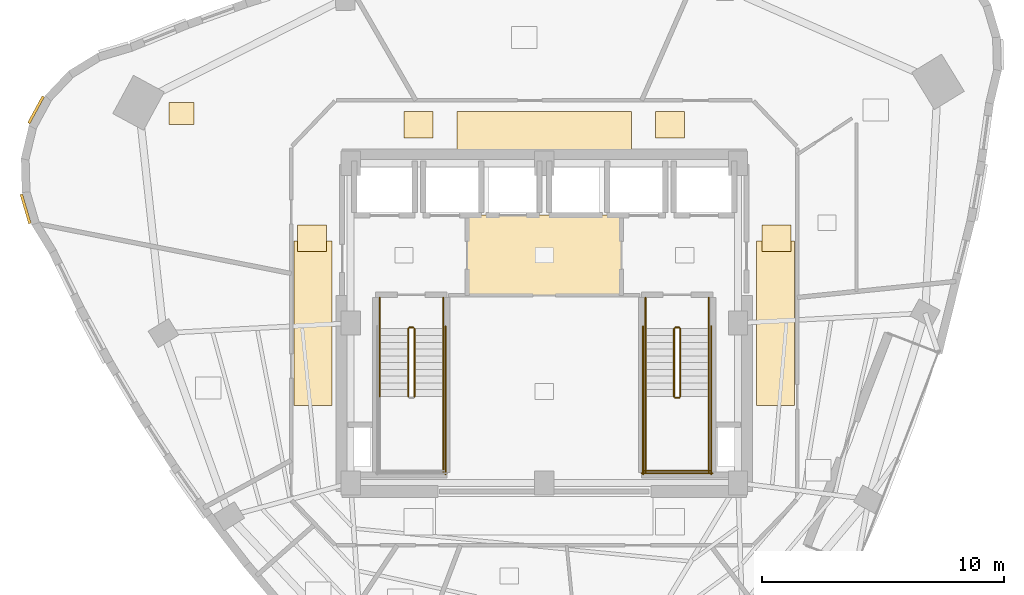
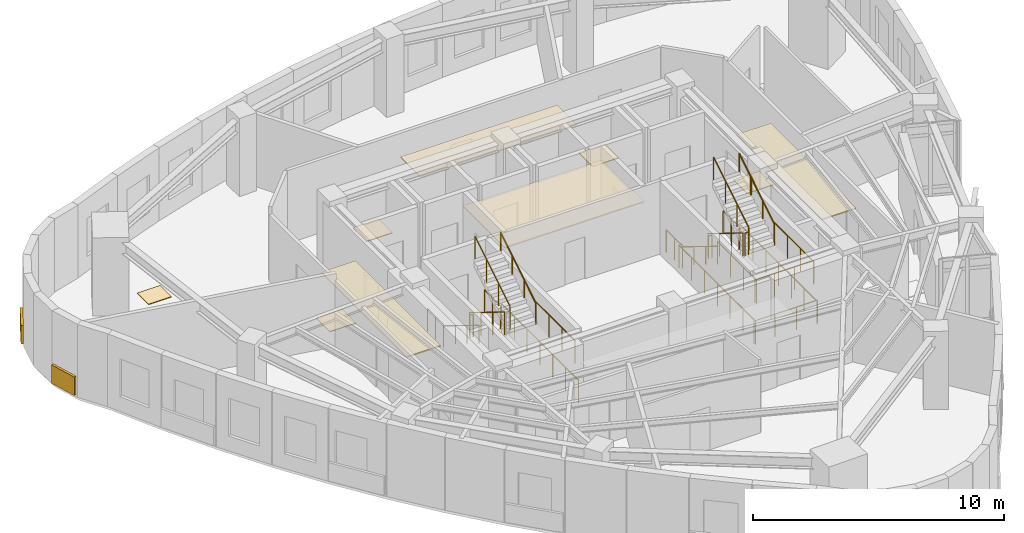
# One storey, part 9 of 10: 23 railings, 11 coverings.
"""IFC4 building model written with IfcOpenShell, lengths in metres."""

from ifc_helpers import new_model, si_unit, direction, frame, origin, origin_2d, place, context, subcontext, project, spatial, rectangle, circle, extrude, material, layer, layer_set, type_object, element, save


model = new_model("IFC4")

# Units and contexts
model_context = context("Model", 3, precision=1e-05, world=origin(), true_north=direction((0.0, 1.0)))
body_context = subcontext(model_context, "Body", "Model", "MODEL_VIEW")
ifc_project = project(units=[si_unit("LENGTHUNIT", "METRE"), si_unit("AREAUNIT", "SQUARE_METRE"), si_unit("VOLUMEUNIT", "CUBIC_METRE"), si_unit("PLANEANGLEUNIT", "RADIAN"), si_unit("MASSUNIT", "GRAM", prefix="KILO")], contexts=[model_context])

# Site, building, storey
site_placement = place(None, origin())
site = spatial("IfcSite", under=ifc_project, at=site_placement, CompositionType="ELEMENT")
building_placement = place(site_placement, origin())
building = spatial("IfcBuilding", under=site, at=building_placement, Name="Ndelora Gate Hotel", CompositionType="ELEMENT")
storey_placement = place(building_placement, frame((0.0, 0.0, 247.35009765625)))
storey = spatial("IfcBuildingStorey", under=building, at=storey_placement, Name="L62", CompositionType="ELEMENT", Elevation=247.35009765625)

# Coverings
ifc_material_1 = material(Name="Perforated Acoustic Gypsum Board", Category="gypsum")
ifc_layer_1 = layer(ifc_material_1, 0.054931640625)
ifc_layer_set_1 = layer_set([ifc_layer_1], Name="Perforated Acoustic Gypsum Board")
covering_type_1 = type_object("IfcCoveringType", Name="COV-CEIL-AC60", PredefinedType="CEILING", material=ifc_layer_set_1)
covering_1_placement = place(storey_placement, frame((0.0, 2.800048828125, 2.72265625), z_axis=(0.0, 0.0, 1.0), x_axis=(1.0, 0.0, 0.0)))
element("IfcCovering", 1, at=covering_1_placement, inside=storey, type_object=covering_type_1, Name="L62 Lift Lobby Acoustic Ceiling", PredefinedType="CEILING", context=body_context, shape_type="SweptSolid", body=[
    extrude(rectangle(XDim=6.39990234375, YDim=3.340087890625, at=origin_2d()), origin(), (0.0, 0.0, 1.0), 0.054931640625),
])
covering_2_placement = place(storey_placement, frame((0.0, 7.9599609375, 2.65234375), z_axis=(0.0, 0.0, 1.0), x_axis=(1.0, 0.0, 0.0)))
element("IfcCovering", 2, at=covering_2_placement, inside=storey, type_object=covering_type_1, Name="L62 Guest Corridor Acoustic Ceiling N", PredefinedType="CEILING", context=body_context, shape_type="SweptSolid", body=[
    extrude(rectangle(XDim=7.199951171875, YDim=1.580078125, at=origin_2d()), origin(), (0.0, 0.0, 1.0), 0.054931640625),
])
for number, where, z_axis, x_axis, name in (
    (3, (-9.550048828125, 0.0, 2.65234375), (0.0, 0.0, 1.0), (1.0, 0.0, 0.0), "L62 Guest Corridor Acoustic Ceiling W"),
    (4, (9.550048828125, 0.0, 2.65234375), (0.0, 0.0, 1.0), (1.0, 0.0, 0.0), "L62 Guest Corridor Acoustic Ceiling E"),
):
    element("IfcCovering", number, at=place(storey_placement, frame(where, z_axis=z_axis, x_axis=x_axis)), inside=storey, type_object=covering_type_1, Name=name, PredefinedType="CEILING", context=body_context, shape_type="SweptSolid", body=[
        extrude(rectangle(XDim=1.580078125, YDim=6.800048828125, at=origin_2d()), origin(), (0.0, 0.0, 1.0), 0.054931640625),
    ])
ifc_material_2 = material(Name="Terracotta Fired Clay Brick Slip Cladding", Category="masonry")
ifc_layer_2 = layer(ifc_material_2, 0.110107421875)
ifc_layer_set_2 = layer_set([ifc_layer_2], Name="Terracotta Fired Clay Brick Slip Cladding")
covering_type_2 = type_object("IfcCoveringType", Name="COV-CLAD-BRK", PredefinedType="CLADDING", material=ifc_layer_set_2)
covering_3_placement = place(storey_placement, frame((-20.993408203125, 8.81005859375, 0.099853515625), z_axis=(0.0, 0.0, 1.0), x_axis=(0.47715876026, 0.878817112662, 0.0)))
element("IfcCovering", 5, at=covering_3_placement, inside=storey, type_object=covering_type_2, Name="L62 Rounded-Corner Brick Cladding Band 4", PredefinedType="CLADDING", context=body_context, shape_type="SweptSolid", body=[
    extrude(rectangle(XDim=1.257080078125, YDim=0.110107421875, at=origin_2d()), origin(), (0.0, 0.0, 1.0), 0.89990234375),
])
covering_4_placement = place(storey_placement, frame((-21.42333984375, 4.719482421875, 0.099853515625), z_axis=(0.0, 0.0, 1.0), x_axis=(-0.284015344704, 0.958819734868, 0.0)))
element("IfcCovering", 6, at=covering_4_placement, inside=storey, type_object=covering_type_2, Name="L62 Rounded-Corner Brick Cladding Band 7", PredefinedType="CLADDING", context=body_context, shape_type="SweptSolid", body=[
    extrude(rectangle(XDim=1.258056640625, YDim=0.110107421875, at=origin_2d()), origin(), (0.0, 0.0, 1.0), 0.89990234375),
])
ifc_material_3 = material(Name="Engineered Highland Oak Parquet", Category="wood")
ifc_layer_3 = layer(ifc_material_3, 0.030029296875)
ifc_layer_set_3 = layer_set([ifc_layer_3], Name="Engineered Highland Oak Parquet")
covering_type_3 = type_object("IfcCoveringType", Name="COV-FLR-PARQ", PredefinedType="FLOORING", material=ifc_layer_set_3)
covering_5_placement = place(storey_placement, frame((-14.984375, 8.6611328125, 0.0), z_axis=(0.0, 0.0, 1.0), x_axis=(1.0, 0.0, 0.0)))
element("IfcCovering", 7, at=covering_5_placement, inside=storey, type_object=covering_type_3, Name="L62 State Banquet Dining Room Oak Parquet Flooring", PredefinedType="FLOORING", context=body_context, shape_type="SweptSolid", body=[
    extrude(rectangle(XDim=1.050048828125, YDim=0.89990234375, at=origin_2d()), origin(), (0.0, 0.0, 1.0), 0.030029296875),
])
ifc_material_4 = material(Name="Polished Highland Stone Terrazzo", Category="masonry")
ifc_layer_4 = layer(ifc_material_4, 0.034912109375)
ifc_layer_set_4 = layer_set([ifc_layer_4], Name="Polished Highland Stone Terrazzo")
covering_type_4 = type_object("IfcCoveringType", Name="COV-FLR-TERZ", PredefinedType="FLOORING", material=ifc_layer_set_4)
for number, where, z_axis, x_axis, name in (
    (8, (-5.199951171875, 8.199951171875, 0.0), (0.0, 0.0, 1.0), (1.0, 0.0, 0.0), "L62 Corridor Threshold Terrazzo Inlay NW"),
    (9, (5.199951171875, 8.199951171875, 0.0), (0.0, 0.0, 1.0), (1.0, 0.0, 0.0), "L62 Corridor Threshold Terrazzo Inlay NE"),
    (10, (-9.60009765625, 3.5, 0.0), (0.0, 0.0, 1.0), (1.0, 0.0, 0.0), "L62 Corridor Threshold Terrazzo Inlay W"),
    (11, (9.60009765625, 3.5, 0.0), (0.0, 0.0, 1.0), (1.0, 0.0, 0.0), "L62 Corridor Threshold Terrazzo Inlay E"),
):
    element("IfcCovering", number, at=place(storey_placement, frame(where, z_axis=z_axis, x_axis=x_axis)), inside=storey, type_object=covering_type_4, Name=name, PredefinedType="FLOORING", context=body_context, shape_type="SweptSolid", body=[
        extrude(rectangle(XDim=1.199951171875, YDim=1.10009765625, at=origin_2d()), origin(), (0.0, 0.0, 1.0), 0.034912109375),
    ])

# Railings
ifc_material_5 = material(Name="Painted Galvanized Steel Balustrade", Category="steel")
ifc_layer_5 = layer(ifc_material_5, 0.06005859375)
ifc_layer_set_5 = layer_set([ifc_layer_5], Name="Painted Galvanized Steel Balustrade")
railing_type_1 = type_object("IfcRailingType", Name="RL-STAIR-GD", PredefinedType="GUARDRAIL", material=ifc_layer_set_5)
railing_1_placement = place(storey_placement, frame((-5.6201171875, -0.22998046875, 0.172607421875)))
element("IfcRailing", 12, at=railing_1_placement, inside=storey, type_object=railing_type_1, Name="L62 ST4 stair guard 1", PredefinedType="GUARDRAIL", context=body_context, shape_type="SweptSolid", body=[
    extrude(circle(Radius=0.02392578125, at=origin_2d()), frame((0.0, 0.0, 1.10595703125), z_axis=(0.0, -0.851089632645, 0.525020415988), x_axis=(1.0, 0.0, 0.0)), (0.0, 0.0, 1.0), 3.2900390625),
    extrude(circle(Radius=0.02099609375, at=origin_2d()), origin(), (0.0, 0.0, 1.0), 1.081787109375),
    extrude(circle(Radius=0.02099609375, at=origin_2d()), frame((0.0, -0.933349609375, 0.57568359375)), (0.0, 0.0, 1.0), 1.081787109375),
    extrude(circle(Radius=0.02099609375, at=origin_2d()), frame((0.0, -1.86669921875, 1.151611328125)), (0.0, 0.0, 1.0), 1.081787109375),
    extrude(circle(Radius=0.02099609375, at=origin_2d()), frame((0.0, -2.800048828125, 1.727294921875)), (0.0, 0.0, 1.0), 1.081787109375),
])
railing_2_placement = place(storey_placement, frame((-4.179931640625, -3.030029296875, 1.89990234375)))
element("IfcRailing", 13, at=railing_2_placement, inside=storey, type_object=railing_type_1, Name="L62 ST4 stair guard 4", PredefinedType="GUARDRAIL", context=body_context, shape_type="SweptSolid", body=[
    extrude(circle(Radius=0.02392578125, at=origin_2d()), frame((0.0, 0.0, 1.10595703125), z_axis=(0.0, -1.0, 0.0), x_axis=(1.0, 0.0, 0.0)), (0.0, 0.0, 1.0), 3.119873046875),
    extrude(circle(Radius=0.02099609375, at=origin_2d()), origin(), (0.0, 0.0, 1.0), 1.081787109375),
    extrude(circle(Radius=0.02099609375, at=origin_2d()), frame((0.0, -1.0400390625, 0.0)), (0.0, 0.0, 1.0), 1.081787109375),
    extrude(circle(Radius=0.02099609375, at=origin_2d()), frame((0.0, -2.079833984375, 0.0)), (0.0, 0.0, 1.0), 1.081787109375),
    extrude(circle(Radius=0.02099609375, at=origin_2d()), frame((0.0, -3.119873046875, 0.0)), (0.0, 0.0, 1.0), 1.081787109375),
])
railing_3_placement = place(storey_placement, frame((-5.360107421875, -3.030029296875, 2.072509765625)))
element("IfcRailing", 14, at=railing_3_placement, inside=storey, type_object=railing_type_1, Name="L62 ST4 stair guard 6", PredefinedType="GUARDRAIL", context=body_context, shape_type="SweptSolid", body=[
    extrude(circle(Radius=0.02392578125, at=origin_2d()), frame((0.0, 0.0, 1.10595703125), z_axis=(0.0, 0.851089632645, 0.525020415988), x_axis=(-1.0, 0.0, 0.0)), (0.0, 0.0, 1.0), 3.2900390625),
    extrude(circle(Radius=0.02099609375, at=origin_2d()), origin(), (0.0, 0.0, 1.0), 1.081787109375),
    extrude(circle(Radius=0.02099609375, at=origin_2d()), frame((0.0, 0.933349609375, 0.57568359375)), (0.0, 0.0, 1.0), 1.081787109375),
    extrude(circle(Radius=0.02099609375, at=origin_2d()), frame((0.0, 1.86669921875, 1.151611328125)), (0.0, 0.0, 1.0), 1.081787109375),
    extrude(circle(Radius=0.02099609375, at=origin_2d()), frame((0.0, 2.800048828125, 1.727294921875)), (0.0, 0.0, 1.0), 1.081787109375),
])
railing_4_placement = place(storey_placement, frame((-5.570068359375, -0.179931640625, 0.0)))
element("IfcRailing", 15, at=railing_4_placement, inside=storey, type_object=railing_type_1, Name="L62 ST4 stair guard 7", PredefinedType="GUARDRAIL", context=body_context, shape_type="SweptSolid", body=[
    extrude(circle(Radius=0.02392578125, at=origin_2d()), frame((0.0, 0.0, 1.10595703125), z_axis=(1.0, 0.0, 0.0), x_axis=(0.0, 1.0, 0.0)), (0.0, 0.0, 1.0), 0.16015625),
    extrude(circle(Radius=0.02099609375, at=origin_2d()), origin(), (0.0, 0.0, 1.0), 1.081787109375),
    extrude(circle(Radius=0.02099609375, at=origin_2d()), frame((0.16015625, 0.0, 0.0)), (0.0, 0.0, 1.0), 1.081787109375),
])
for number, where, name in (
    (16, (-6.800048828125, 1.050048828125, 0.0), "L62 ST4 stair guard 8"),
    (17, (-4.179931640625, 1.050048828125, 0.0), "L62 ST4 stair guard 9"),
):
    element("IfcRailing", number, at=place(storey_placement, frame(where)), inside=storey, type_object=railing_type_1, Name=name, PredefinedType="GUARDRAIL", context=body_context, shape_type="SweptSolid", body=[
        extrude(circle(Radius=0.02392578125, at=origin_2d()), frame((0.0, 0.0, 1.10595703125), z_axis=(0.0, -1.0, 0.0), x_axis=(1.0, 0.0, 0.0)), (0.0, 0.0, 1.0), 1.280029296875),
        extrude(circle(Radius=0.02099609375, at=origin_2d()), origin(), (0.0, 0.0, 1.0), 1.081787109375),
        extrude(circle(Radius=0.02099609375, at=origin_2d()), frame((0.0, -0.64013671875, 0.0)), (0.0, 0.0, 1.0), 1.081787109375),
        extrude(circle(Radius=0.02099609375, at=origin_2d()), frame((0.0, -1.280029296875, 0.0)), (0.0, 0.0, 1.0), 1.081787109375),
    ])
railing_5_placement = place(storey_placement, frame((-4.080078125, -0.1298828125, 0.0)))
element("IfcRailing", 18, at=railing_5_placement, inside=storey, type_object=railing_type_1, Name="L62 ST4 stair guard 11", PredefinedType="GUARDRAIL", context=body_context, shape_type="SweptSolid", body=[
    extrude(circle(Radius=0.02392578125, at=origin_2d()), frame((0.0, 0.0, 1.10595703125), z_axis=(0.0, -1.0, 0.0), x_axis=(1.0, 0.0, 0.0)), (0.0, 0.0, 1.0), 6.1201171875),
    extrude(circle(Radius=0.02099609375, at=origin_2d()), origin(), (0.0, 0.0, 1.0), 1.081787109375),
    extrude(circle(Radius=0.02099609375, at=origin_2d()), frame((0.0, -1.02001953125, 0.0)), (0.0, 0.0, 1.0), 1.081787109375),
    extrude(circle(Radius=0.02099609375, at=origin_2d()), frame((0.0, -2.0400390625, 0.0)), (0.0, 0.0, 1.0), 1.081787109375),
    extrude(circle(Radius=0.02099609375, at=origin_2d()), frame((0.0, -3.06005859375, 0.0)), (0.0, 0.0, 1.0), 1.081787109375),
    extrude(circle(Radius=0.02099609375, at=origin_2d()), frame((0.0, -4.080078125, 0.0)), (0.0, 0.0, 1.0), 1.081787109375),
    extrude(circle(Radius=0.02099609375, at=origin_2d()), frame((0.0, -5.10009765625, 0.0)), (0.0, 0.0, 1.0), 1.081787109375),
    extrude(circle(Radius=0.02099609375, at=origin_2d()), frame((0.0, -6.1201171875, 0.0)), (0.0, 0.0, 1.0), 1.081787109375),
])
railing_6_placement = place(storey_placement, frame((5.360107421875, -0.22998046875, 0.172607421875)))
element("IfcRailing", 19, at=railing_6_placement, inside=storey, type_object=railing_type_1, Name="L62 ST5 stair guard 1", PredefinedType="GUARDRAIL", context=body_context, shape_type="SweptSolid", body=[
    extrude(circle(Radius=0.02392578125, at=origin_2d()), frame((0.0, 0.0, 1.10595703125), z_axis=(0.0, -0.851089632645, 0.525020415988), x_axis=(1.0, 0.0, 0.0)), (0.0, 0.0, 1.0), 3.2900390625),
    extrude(circle(Radius=0.02099609375, at=origin_2d()), origin(), (0.0, 0.0, 1.0), 1.081787109375),
    extrude(circle(Radius=0.02099609375, at=origin_2d()), frame((0.0, -0.933349609375, 0.57568359375)), (0.0, 0.0, 1.0), 1.081787109375),
    extrude(circle(Radius=0.02099609375, at=origin_2d()), frame((0.0, -1.86669921875, 1.151611328125)), (0.0, 0.0, 1.0), 1.081787109375),
    extrude(circle(Radius=0.02099609375, at=origin_2d()), frame((0.0, -2.800048828125, 1.727294921875)), (0.0, 0.0, 1.0), 1.081787109375),
])
railing_7_placement = place(storey_placement, frame((5.409912109375, -3.080078125, 1.89990234375)))
element("IfcRailing", 20, at=railing_7_placement, inside=storey, type_object=railing_type_1, Name="L62 ST5 stair guard 2", PredefinedType="GUARDRAIL", context=body_context, shape_type="SweptSolid", body=[
    extrude(circle(Radius=0.02392578125, at=origin_2d()), frame((0.0, 0.0, 1.10595703125), z_axis=(1.0, 0.0, 0.0), x_axis=(0.0, 1.0, 0.0)), (0.0, 0.0, 1.0), 0.16015625),
    extrude(circle(Radius=0.02099609375, at=origin_2d()), origin(), (0.0, 0.0, 1.0), 1.081787109375),
    extrude(circle(Radius=0.02099609375, at=origin_2d()), frame((0.16015625, 0.0, 0.0)), (0.0, 0.0, 1.0), 1.081787109375),
])
for number, where, name in (
    (21, (4.179931640625, -3.030029296875, 1.89990234375), "L62 ST5 stair guard 3"),
    (22, (6.800048828125, -3.030029296875, 1.89990234375), "L62 ST5 stair guard 4"),
):
    element("IfcRailing", number, at=place(storey_placement, frame(where)), inside=storey, type_object=railing_type_1, Name=name, PredefinedType="GUARDRAIL", context=body_context, shape_type="SweptSolid", body=[
        extrude(circle(Radius=0.02392578125, at=origin_2d()), frame((0.0, 0.0, 1.10595703125), z_axis=(0.0, -1.0, 0.0), x_axis=(1.0, 0.0, 0.0)), (0.0, 0.0, 1.0), 3.119873046875),
        extrude(circle(Radius=0.02099609375, at=origin_2d()), origin(), (0.0, 0.0, 1.0), 1.081787109375),
        extrude(circle(Radius=0.02099609375, at=origin_2d()), frame((0.0, -1.0400390625, 0.0)), (0.0, 0.0, 1.0), 1.081787109375),
        extrude(circle(Radius=0.02099609375, at=origin_2d()), frame((0.0, -2.079833984375, 0.0)), (0.0, 0.0, 1.0), 1.081787109375),
        extrude(circle(Radius=0.02099609375, at=origin_2d()), frame((0.0, -3.119873046875, 0.0)), (0.0, 0.0, 1.0), 1.081787109375),
    ])
railing_8_placement = place(storey_placement, frame((4.1298828125, -6.10009765625, 1.89990234375)))
element("IfcRailing", 23, at=railing_8_placement, inside=storey, type_object=railing_type_1, Name="L62 ST5 stair guard 5", PredefinedType="GUARDRAIL", context=body_context, shape_type="SweptSolid", body=[
    extrude(circle(Radius=0.02392578125, at=origin_2d()), frame((0.0, 0.0, 1.10595703125), z_axis=(1.0, 0.0, 0.0), x_axis=(0.0, 1.0, 0.0)), (0.0, 0.0, 1.0), 2.72021484375),
    extrude(circle(Radius=0.02099609375, at=origin_2d()), origin(), (0.0, 0.0, 1.0), 1.081787109375),
    extrude(circle(Radius=0.02099609375, at=origin_2d()), frame((0.90673828125, 0.0, 0.0)), (0.0, 0.0, 1.0), 1.081787109375),
    extrude(circle(Radius=0.02099609375, at=origin_2d()), frame((1.8134765625, 0.0, 0.0)), (0.0, 0.0, 1.0), 1.081787109375),
    extrude(circle(Radius=0.02099609375, at=origin_2d()), frame((2.72021484375, 0.0, 0.0)), (0.0, 0.0, 1.0), 1.081787109375),
])
railing_9_placement = place(storey_placement, frame((5.6201171875, -3.030029296875, 2.072509765625)))
element("IfcRailing", 24, at=railing_9_placement, inside=storey, type_object=railing_type_1, Name="L62 ST5 stair guard 6", PredefinedType="GUARDRAIL", context=body_context, shape_type="SweptSolid", body=[
    extrude(circle(Radius=0.02392578125, at=origin_2d()), frame((0.0, 0.0, 1.10595703125), z_axis=(0.0, 0.851089632645, 0.525020415988), x_axis=(-1.0, 0.0, 0.0)), (0.0, 0.0, 1.0), 3.2900390625),
    extrude(circle(Radius=0.02099609375, at=origin_2d()), origin(), (0.0, 0.0, 1.0), 1.081787109375),
    extrude(circle(Radius=0.02099609375, at=origin_2d()), frame((0.0, 0.933349609375, 0.57568359375)), (0.0, 0.0, 1.0), 1.081787109375),
    extrude(circle(Radius=0.02099609375, at=origin_2d()), frame((0.0, 1.86669921875, 1.151611328125)), (0.0, 0.0, 1.0), 1.081787109375),
    extrude(circle(Radius=0.02099609375, at=origin_2d()), frame((0.0, 2.800048828125, 1.727294921875)), (0.0, 0.0, 1.0), 1.081787109375),
])
railing_10_placement = place(storey_placement, frame((5.409912109375, -0.179931640625, 0.0)))
element("IfcRailing", 25, at=railing_10_placement, inside=storey, type_object=railing_type_1, Name="L62 ST5 stair guard 7", PredefinedType="GUARDRAIL", context=body_context, shape_type="SweptSolid", body=[
    extrude(circle(Radius=0.02392578125, at=origin_2d()), frame((0.0, 0.0, 1.10595703125), z_axis=(1.0, 0.0, 0.0), x_axis=(0.0, 1.0, 0.0)), (0.0, 0.0, 1.0), 0.16015625),
    extrude(circle(Radius=0.02099609375, at=origin_2d()), origin(), (0.0, 0.0, 1.0), 1.081787109375),
    extrude(circle(Radius=0.02099609375, at=origin_2d()), frame((0.16015625, 0.0, 0.0)), (0.0, 0.0, 1.0), 1.081787109375),
])
for number, where, name in (
    (26, (4.179931640625, 1.050048828125, 0.0), "L62 ST5 stair guard 8"),
    (27, (6.800048828125, 1.050048828125, 0.0), "L62 ST5 stair guard 9"),
):
    element("IfcRailing", number, at=place(storey_placement, frame(where)), inside=storey, type_object=railing_type_1, Name=name, PredefinedType="GUARDRAIL", context=body_context, shape_type="SweptSolid", body=[
        extrude(circle(Radius=0.02392578125, at=origin_2d()), frame((0.0, 0.0, 1.10595703125), z_axis=(0.0, -1.0, 0.0), x_axis=(1.0, 0.0, 0.0)), (0.0, 0.0, 1.0), 1.280029296875),
        extrude(circle(Radius=0.02099609375, at=origin_2d()), origin(), (0.0, 0.0, 1.0), 1.081787109375),
        extrude(circle(Radius=0.02099609375, at=origin_2d()), frame((0.0, -0.64013671875, 0.0)), (0.0, 0.0, 1.0), 1.081787109375),
        extrude(circle(Radius=0.02099609375, at=origin_2d()), frame((0.0, -1.280029296875, 0.0)), (0.0, 0.0, 1.0), 1.081787109375),
    ])
for number, where, name in (
    (28, (4.080078125, -0.1298828125, 0.0), "L62 ST5 stair guard 10"),
    (29, (6.89990234375, -0.1298828125, 0.0), "L62 ST5 stair guard 11"),
):
    element("IfcRailing", number, at=place(storey_placement, frame(where)), inside=storey, type_object=railing_type_1, Name=name, PredefinedType="GUARDRAIL", context=body_context, shape_type="SweptSolid", body=[
        extrude(circle(Radius=0.02392578125, at=origin_2d()), frame((0.0, 0.0, 1.10595703125), z_axis=(0.0, -1.0, 0.0), x_axis=(1.0, 0.0, 0.0)), (0.0, 0.0, 1.0), 6.1201171875),
        extrude(circle(Radius=0.02099609375, at=origin_2d()), origin(), (0.0, 0.0, 1.0), 1.081787109375),
        extrude(circle(Radius=0.02099609375, at=origin_2d()), frame((0.0, -1.02001953125, 0.0)), (0.0, 0.0, 1.0), 1.081787109375),
        extrude(circle(Radius=0.02099609375, at=origin_2d()), frame((0.0, -2.0400390625, 0.0)), (0.0, 0.0, 1.0), 1.081787109375),
        extrude(circle(Radius=0.02099609375, at=origin_2d()), frame((0.0, -3.06005859375, 0.0)), (0.0, 0.0, 1.0), 1.081787109375),
        extrude(circle(Radius=0.02099609375, at=origin_2d()), frame((0.0, -4.080078125, 0.0)), (0.0, 0.0, 1.0), 1.081787109375),
        extrude(circle(Radius=0.02099609375, at=origin_2d()), frame((0.0, -5.10009765625, 0.0)), (0.0, 0.0, 1.0), 1.081787109375),
        extrude(circle(Radius=0.02099609375, at=origin_2d()), frame((0.0, -6.1201171875, 0.0)), (0.0, 0.0, 1.0), 1.081787109375),
    ])
railing_11_placement = place(storey_placement, frame((4.030029296875, -6.199951171875, 0.0)))
element("IfcRailing", 30, at=railing_11_placement, inside=storey, type_object=railing_type_1, Name="L62 ST5 stair guard 12", PredefinedType="GUARDRAIL", context=body_context, shape_type="SweptSolid", body=[
    extrude(circle(Radius=0.02392578125, at=origin_2d()), frame((0.0, 0.0, 1.10595703125), z_axis=(1.0, 0.0, 0.0), x_axis=(0.0, 1.0, 0.0)), (0.0, 0.0, 1.0), 2.919921875),
    extrude(circle(Radius=0.02099609375, at=origin_2d()), origin(), (0.0, 0.0, 1.0), 1.081787109375),
    extrude(circle(Radius=0.02099609375, at=origin_2d()), frame((0.973388671875, 0.0, 0.0)), (0.0, 0.0, 1.0), 1.081787109375),
    extrude(circle(Radius=0.02099609375, at=origin_2d()), frame((1.946533203125, 0.0, 0.0)), (0.0, 0.0, 1.0), 1.081787109375),
    extrude(circle(Radius=0.02099609375, at=origin_2d()), frame((2.919921875, 0.0, 0.0)), (0.0, 0.0, 1.0), 1.081787109375),
])
ifc_material_6 = material(Name="Brushed Stainless Steel 316", Category="steel")
ifc_layer_6 = layer(ifc_material_6, 0.050048828125)
ifc_layer_set_6 = layer_set([ifc_layer_6], Name="Brushed Stainless Steel 316")
railing_type_2 = type_object("IfcRailingType", Name="RL-STAIR-HR", PredefinedType="HANDRAIL", material=ifc_layer_set_6)
railing_12_placement = place(storey_placement, frame((-6.800048828125, -0.22998046875, 0.172607421875)))
element("IfcRailing", 31, at=railing_12_placement, inside=storey, type_object=railing_type_2, Name="L62 ST4 stair handrail 1", PredefinedType="HANDRAIL", context=body_context, shape_type="SweptSolid", body=[
    extrude(circle(Radius=0.02392578125, at=origin_2d()), frame((0.0, 0.0, 0.8759765625), z_axis=(0.0, -0.851089632645, 0.525020415988), x_axis=(1.0, 0.0, 0.0)), (0.0, 0.0, 1.0), 3.2900390625),
    extrude(circle(Radius=0.02099609375, at=origin_2d()), origin(), (0.0, 0.0, 1.0), 0.851806640625),
    extrude(circle(Radius=0.02099609375, at=origin_2d()), frame((0.0, -0.933349609375, 0.57568359375)), (0.0, 0.0, 1.0), 0.851806640625),
    extrude(circle(Radius=0.02099609375, at=origin_2d()), frame((0.0, -1.86669921875, 1.151611328125)), (0.0, 0.0, 1.0), 0.851806640625),
    extrude(circle(Radius=0.02099609375, at=origin_2d()), frame((0.0, -2.800048828125, 1.727294921875)), (0.0, 0.0, 1.0), 0.851806640625),
])
railing_13_placement = place(storey_placement, frame((-4.179931640625, -3.030029296875, 2.072509765625)))
element("IfcRailing", 32, at=railing_13_placement, inside=storey, type_object=railing_type_2, Name="L62 ST4 stair handrail 2", PredefinedType="HANDRAIL", context=body_context, shape_type="SweptSolid", body=[
    extrude(circle(Radius=0.02392578125, at=origin_2d()), frame((0.0, 0.0, 0.8759765625), z_axis=(0.0, 0.851089632645, 0.525020415988), x_axis=(-1.0, 0.0, 0.0)), (0.0, 0.0, 1.0), 3.2900390625),
    extrude(circle(Radius=0.02099609375, at=origin_2d()), origin(), (0.0, 0.0, 1.0), 0.851806640625),
    extrude(circle(Radius=0.02099609375, at=origin_2d()), frame((0.0, 0.933349609375, 0.57568359375)), (0.0, 0.0, 1.0), 0.851806640625),
    extrude(circle(Radius=0.02099609375, at=origin_2d()), frame((0.0, 1.86669921875, 1.151611328125)), (0.0, 0.0, 1.0), 0.851806640625),
    extrude(circle(Radius=0.02099609375, at=origin_2d()), frame((0.0, 2.800048828125, 1.727294921875)), (0.0, 0.0, 1.0), 0.851806640625),
])
railing_14_placement = place(storey_placement, frame((4.179931640625, -0.22998046875, 0.172607421875)))
element("IfcRailing", 33, at=railing_14_placement, inside=storey, type_object=railing_type_2, Name="L62 ST5 stair handrail 1", PredefinedType="HANDRAIL", context=body_context, shape_type="SweptSolid", body=[
    extrude(circle(Radius=0.02392578125, at=origin_2d()), frame((0.0, 0.0, 0.8759765625), z_axis=(0.0, -0.851089632645, 0.525020415988), x_axis=(1.0, 0.0, 0.0)), (0.0, 0.0, 1.0), 3.2900390625),
    extrude(circle(Radius=0.02099609375, at=origin_2d()), origin(), (0.0, 0.0, 1.0), 0.851806640625),
    extrude(circle(Radius=0.02099609375, at=origin_2d()), frame((0.0, -0.933349609375, 0.57568359375)), (0.0, 0.0, 1.0), 0.851806640625),
    extrude(circle(Radius=0.02099609375, at=origin_2d()), frame((0.0, -1.86669921875, 1.151611328125)), (0.0, 0.0, 1.0), 0.851806640625),
    extrude(circle(Radius=0.02099609375, at=origin_2d()), frame((0.0, -2.800048828125, 1.727294921875)), (0.0, 0.0, 1.0), 0.851806640625),
])
railing_15_placement = place(storey_placement, frame((6.800048828125, -3.030029296875, 2.072509765625)))
element("IfcRailing", 34, at=railing_15_placement, inside=storey, type_object=railing_type_2, Name="L62 ST5 stair handrail 2", PredefinedType="HANDRAIL", context=body_context, shape_type="SweptSolid", body=[
    extrude(circle(Radius=0.02392578125, at=origin_2d()), frame((0.0, 0.0, 0.8759765625), z_axis=(0.0, 0.851089632645, 0.525020415988), x_axis=(-1.0, 0.0, 0.0)), (0.0, 0.0, 1.0), 3.2900390625),
    extrude(circle(Radius=0.02099609375, at=origin_2d()), origin(), (0.0, 0.0, 1.0), 0.851806640625),
    extrude(circle(Radius=0.02099609375, at=origin_2d()), frame((0.0, 0.933349609375, 0.57568359375)), (0.0, 0.0, 1.0), 0.851806640625),
    extrude(circle(Radius=0.02099609375, at=origin_2d()), frame((0.0, 1.86669921875, 1.151611328125)), (0.0, 0.0, 1.0), 0.851806640625),
    extrude(circle(Radius=0.02099609375, at=origin_2d()), frame((0.0, 2.800048828125, 1.727294921875)), (0.0, 0.0, 1.0), 0.851806640625),
])

save(model, "model.ifc")
